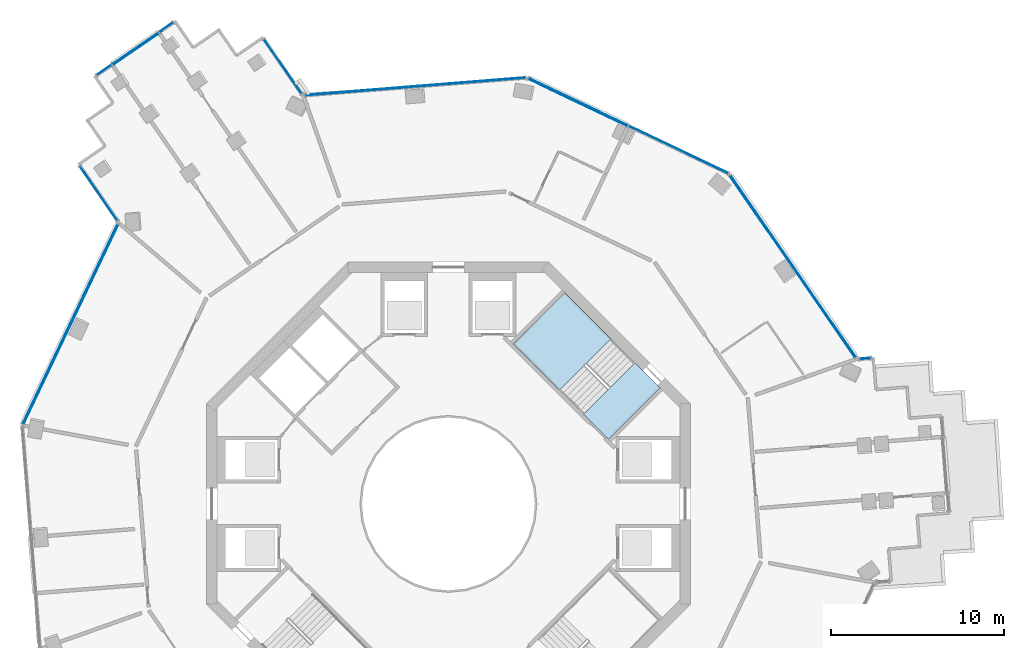
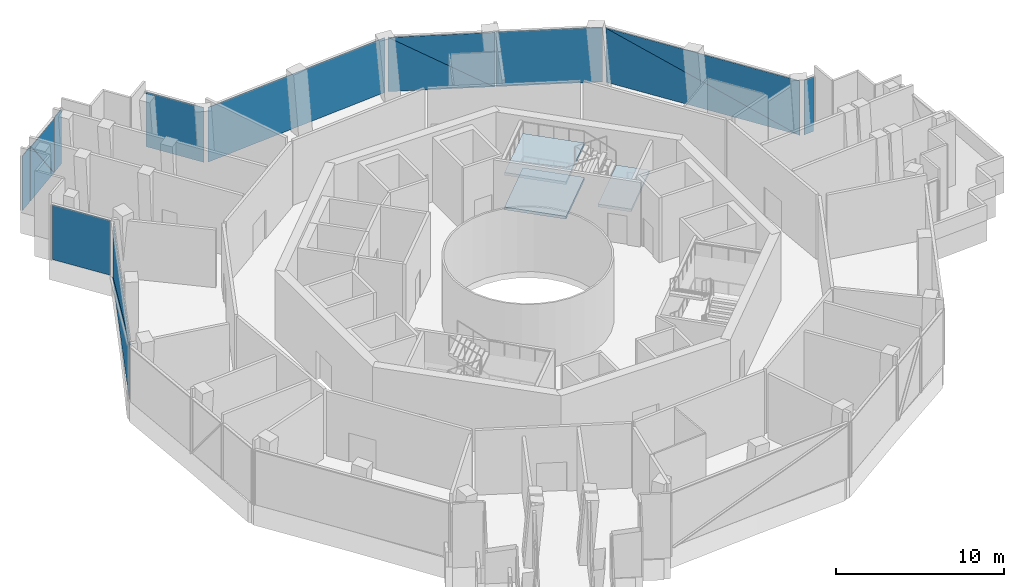
# One storey, part 10 of 21: 15 plates, 3 slabs, 9 elements without a shape of their own.
"""IFC4 building model written with IfcOpenShell, lengths in metres."""

from ifc_helpers import new_model, si_unit, direction, frame, origin, origin_2d, place, context, subcontext, project, spatial, polyline, rectangle, outline, extrude, material, layer, layer_set, type_object, element, aggregate, save


model = new_model("IFC4")

# Units and contexts
model_context = context("Model", 3, precision=1e-05, world=origin(), true_north=direction((0.0, 1.0)))
body_context = subcontext(model_context, "Body", "Model", "MODEL_VIEW")
ifc_project = project(units=[si_unit("LENGTHUNIT", "METRE"), si_unit("AREAUNIT", "SQUARE_METRE"), si_unit("VOLUMEUNIT", "CUBIC_METRE"), si_unit("PLANEANGLEUNIT", "RADIAN"), si_unit("MASSUNIT", "GRAM", prefix="KILO")], contexts=[model_context])

# Site, building, storey
site_placement = place(None, origin())
site = spatial("IfcSite", under=ifc_project, at=site_placement, CompositionType="ELEMENT")
building_placement = place(site_placement, origin())
building = spatial("IfcBuilding", under=site, at=building_placement, Name="Verdalira Terraces Hotel", CompositionType="ELEMENT")
storey_placement = place(building_placement, frame((0.0, 0.0, 175.0)))
storey = spatial("IfcBuildingStorey", under=building, at=storey_placement, Name="L42", CompositionType="ELEMENT", Elevation=175.0)

# Curtain wall, plate
ifc_material_1 = material(Name="Clear glass", Category="glass")
ifc_layer_1 = layer(ifc_material_1, 0.239990234375)
ifc_layer_set_1 = layer_set([ifc_layer_1], Name="CW5 curtain wall")
curtain_wall_type = type_object("IfcCurtainWallType", Name="CW5 curtain wall", PredefinedType="NOTDEFINED", material=ifc_layer_set_1)
curtain_wall_1_placement = place(storey_placement, origin())
curtain_wall_1 = element("IfcCurtainWall", 1, at=curtain_wall_1_placement, inside=storey, type_object=curtain_wall_type, Name="CW5 curtain wall L42 edge 0", PredefinedType="NOTDEFINED")
ifc_material_2 = material(Name="Clear glass", Category="glass")
ifc_layer_2 = layer(ifc_material_2, 0.0439453125)
ifc_layer_set_2 = layer_set([ifc_layer_2], Name="CW5 glass unit 44")
plate_type = type_object("IfcPlateType", Name="CW5 glass unit 44", PredefinedType="CURTAIN_PANEL", material=ifc_layer_set_2)
plate_1_placement = place(storey_placement, frame((-9.57959, 25.312744, 0.0), z_axis=(0.0, 0.0, 1.0), x_axis=(-0.567268949, 0.823532598, 0.0)))
plate_1 = element("IfcPlate", 2, at=plate_1_placement, type_object=plate_type, Name="CW5 glass unit", PredefinedType="CURTAIN_PANEL", context=body_context, shape_type="SweptSolid", body=[
    extrude(rectangle(XDim=3.799805, YDim=0.043945, at=origin_2d()), origin(), (0.0, 0.0, 1.0), 3.965088),
])
aggregate(curtain_wall_1, [plate_1])

# Curtain wall, plates
curtain_wall_2_placement = place(storey_placement, origin())
curtain_wall_2 = element("IfcCurtainWall", 3, at=curtain_wall_2_placement, inside=storey, type_object=curtain_wall_type, Name="CW5 curtain wall L42 edge 5", PredefinedType="NOTDEFINED")
plate_2_placement = place(storey_placement, frame((-16.325928, 27.574951, 0.0), z_axis=(0.0, 0.0, 1.0), x_axis=(-0.823532598, -0.567268949, 0.0)))
plate_2 = element("IfcPlate", 4, at=plate_2_placement, type_object=plate_type, Name="CW5 glass unit", PredefinedType="CURTAIN_PANEL", context=body_context, shape_type="SweptSolid", body=[
    extrude(rectangle(XDim=0.965088, YDim=0.043945, at=origin_2d()), origin(), (0.0, 0.0, 1.0), 3.965088),
])
plate_3_placement = place(storey_placement, frame((-18.093018, 26.331055, 1.982422), z_axis=(-0.567268949, 0.823532598, 0.0), x_axis=(-0.823532598, -0.567268949, 0.0)))
plate_3 = element("IfcPlate", 5, at=plate_3_placement, type_object=plate_type, Name="CW5 glass unit", PredefinedType="CURTAIN_PANEL", context=body_context, shape_type="SweptSolid", body=[
    extrude(outline(polyline([(-1.608398, -1.982422), (1.608398, -1.982422), (1.608398, 1.982422), (-1.608398, -1.982422)])), origin(), (0.0, 0.0, 1.0), 0.043945),
])
plate_4_placement = place(storey_placement, frame((-18.067627, 26.293945, 1.982422), z_axis=(-0.567268949, 0.823532598, 0.0), x_axis=(-0.823532598, -0.567268949, 0.0)))
plate_4 = element("IfcPlate", 6, at=plate_4_placement, type_object=plate_type, Name="CW5 glass unit", PredefinedType="CURTAIN_PANEL", context=body_context, shape_type="SweptSolid", body=[
    extrude(outline(polyline([(-1.608398, -1.982422), (1.608398, 1.982422), (-1.608398, 1.982422), (-1.608398, -1.982422)])), origin(), (0.0, 0.0, 1.0), 0.043945),
])
plate_5_placement = place(storey_placement, frame((-19.915283, 25.102539, 0.0), z_axis=(0.0, 0.0, 1.0), x_axis=(-0.823532598, -0.567268949, 0.0)))
plate_5 = element("IfcPlate", 7, at=plate_5_placement, type_object=plate_type, Name="CW5 glass unit", PredefinedType="CURTAIN_PANEL", context=body_context, shape_type="SweptSolid", body=[
    extrude(rectangle(XDim=1.038086, YDim=0.043945, at=origin_2d()), origin(), (0.0, 0.0, 1.0), 3.965088),
])
aggregate(curtain_wall_2, [plate_2, plate_3, plate_4, plate_5])

# Curtain wall, plate
curtain_wall_3_placement = place(storey_placement, origin())
curtain_wall_3 = element("IfcCurtainWall", 8, at=curtain_wall_3_placement, inside=storey, type_object=curtain_wall_type, Name="CW5 curtain wall L42 edge 10", PredefinedType="NOTDEFINED")
plate_6_placement = place(storey_placement, frame((-20.236084, 17.972412, 0.0), z_axis=(0.0, 0.0, 1.0), x_axis=(0.567268949, -0.823532598, 0.0)))
plate_6 = element("IfcPlate", 9, at=plate_6_placement, type_object=plate_type, Name="CW5 glass unit", PredefinedType="CURTAIN_PANEL", context=body_context, shape_type="SweptSolid", body=[
    extrude(rectangle(XDim=3.799805, YDim=0.043945, at=origin_2d()), origin(), (0.0, 0.0, 1.0), 3.965088),
])
aggregate(curtain_wall_3, [plate_6])

# Curtain wall, plates
curtain_wall_4_placement = place(storey_placement, origin())
curtain_wall_4 = element("IfcCurtainWall", 10, at=curtain_wall_4_placement, inside=storey, type_object=curtain_wall_type, Name="CW5 curtain wall L42 edge 11", PredefinedType="NOTDEFINED")
plate_7_placement = place(storey_placement, frame((-21.861816, 10.392822, 1.982422), z_axis=(-0.90303562, 0.429565676, 0.0), x_axis=(-0.429565676, -0.90303562, 0.0)))
plate_7 = element("IfcPlate", 11, at=plate_7_placement, type_object=plate_type, Name="CW5 glass unit", PredefinedType="CURTAIN_PANEL", context=body_context, shape_type="SweptSolid", body=[
    extrude(outline(polyline([(-6.383789, -1.982422), (6.383789, -1.982422), (6.383789, 1.982422), (-6.383789, -1.982422)])), origin(), (0.0, 0.0, 1.0), 0.043945),
])
plate_8_placement = place(storey_placement, frame((-21.821289, 10.373535, 1.982422), z_axis=(-0.90303562, 0.429565676, 0.0), x_axis=(-0.429565676, -0.90303562, 0.0)))
plate_8 = element("IfcPlate", 12, at=plate_8_placement, type_object=plate_type, Name="CW5 glass unit", PredefinedType="CURTAIN_PANEL", context=body_context, shape_type="SweptSolid", body=[
    extrude(outline(polyline([(-6.383789, -1.982422), (6.383789, 1.982422), (-6.383789, 1.982422), (-6.383789, -1.982422)])), origin(), (0.0, 0.0, 1.0), 0.043945),
])
aggregate(curtain_wall_4, [plate_7, plate_8])

# Curtain wall, plate
curtain_wall_5_placement = place(storey_placement, origin())
curtain_wall_5 = element("IfcCurtainWall", 13, at=curtain_wall_5_placement, inside=storey, type_object=curtain_wall_type, Name="CW5 curtain wall L42 edge 38", PredefinedType="NOTDEFINED")
plate_9_placement = place(storey_placement, frame((24.116699, 8.414062, 0.0), z_axis=(0.0, 0.0, 1.0), x_axis=(-0.996834625, -0.079503022, 0.0)))
plate_9 = element("IfcPlate", 14, at=plate_9_placement, type_object=plate_type, Name="CW5 glass unit", PredefinedType="CURTAIN_PANEL", context=body_context, shape_type="SweptSolid", body=[
    extrude(rectangle(XDim=0.657959, YDim=0.043945, at=origin_2d()), origin(), (0.0, 0.0, 1.0), 3.965088),
])
aggregate(curtain_wall_5, [plate_9])

# Curtain wall, plates
curtain_wall_6_placement = place(storey_placement, origin())
curtain_wall_6 = element("IfcCurtainWall", 15, at=curtain_wall_6_placement, inside=storey, type_object=curtain_wall_type, Name="CW5 curtain wall L42 edge 39", PredefinedType="NOTDEFINED")
plate_10_placement = place(storey_placement, frame((19.931396, 13.736328, 1.982422), z_axis=(0.823532598, 0.567268949, 0.0), x_axis=(-0.567268949, 0.823532598, 0.0)))
plate_10 = element("IfcPlate", 16, at=plate_10_placement, type_object=plate_type, Name="CW5 glass unit", PredefinedType="CURTAIN_PANEL", context=body_context, shape_type="SweptSolid", body=[
    extrude(outline(polyline([(-6.383789, -1.982422), (6.383789, -1.982422), (6.383789, 1.982422), (-6.383789, -1.982422)])), origin(), (0.0, 0.0, 1.0), 0.043945),
])
plate_11_placement = place(storey_placement, frame((19.894287, 13.710938, 1.982422), z_axis=(0.823532598, 0.567268949, 0.0), x_axis=(-0.567268949, 0.823532598, 0.0)))
plate_11 = element("IfcPlate", 17, at=plate_11_placement, type_object=plate_type, Name="CW5 glass unit", PredefinedType="CURTAIN_PANEL", context=body_context, shape_type="SweptSolid", body=[
    extrude(outline(polyline([(-6.383789, -1.982422), (6.383789, 1.982422), (-6.383789, 1.982422), (-6.383789, -1.982422)])), origin(), (0.0, 0.0, 1.0), 0.043945),
])
aggregate(curtain_wall_6, [plate_10, plate_11])

curtain_wall_7_placement = place(storey_placement, origin())
curtain_wall_7 = element("IfcCurtainWall", 18, at=curtain_wall_7_placement, inside=storey, type_object=curtain_wall_type, Name="CW5 curtain wall L42 edge 40", PredefinedType="NOTDEFINED")
plate_12_placement = place(storey_placement, frame((13.308594, 20.499023, 0.0), z_axis=(0.0, 0.0, 1.0), x_axis=(-0.90303562, 0.429565676, 0.0)))
plate_12 = element("IfcPlate", 19, at=plate_12_placement, type_object=plate_type, Name="CW5 glass unit", PredefinedType="CURTAIN_PANEL", context=body_context, shape_type="SweptSolid", body=[
    extrude(rectangle(XDim=6.354736, YDim=0.043945, at=origin_2d()), origin(), (0.0, 0.0, 1.0), 3.965088),
])
plate_13_placement = place(storey_placement, frame((7.497314, 23.239258, 1.982422), z_axis=(0.429565676, 0.90303562, 0.0), x_axis=(-0.90303562, 0.429565676, 0.0)))
plate_13 = element("IfcPlate", 20, at=plate_13_placement, type_object=plate_type, Name="CW5 glass unit", PredefinedType="CURTAIN_PANEL", context=body_context, shape_type="SweptSolid", body=[
    extrude(outline(polyline([(-3.177246, -1.982422), (3.177246, -1.982422), (3.177246, 1.982422), (-3.177246, -1.982422)])), origin(), (0.0, 0.0, 1.0), 0.043945),
])
plate_14_placement = place(storey_placement, frame((7.478027, 23.19873, 1.982422), z_axis=(0.429565676, 0.90303562, 0.0), x_axis=(-0.90303562, 0.429565676, 0.0)))
plate_14 = element("IfcPlate", 21, at=plate_14_placement, type_object=plate_type, Name="CW5 glass unit", PredefinedType="CURTAIN_PANEL", context=body_context, shape_type="SweptSolid", body=[
    extrude(outline(polyline([(-3.177246, -1.982422), (3.177246, 1.982422), (-3.177246, 1.982422), (-3.177246, -1.982422)])), origin(), (0.0, 0.0, 1.0), 0.043945),
])
aggregate(curtain_wall_7, [plate_12, plate_13, plate_14])

# Curtain wall, plate
curtain_wall_8_placement = place(storey_placement, origin())
curtain_wall_8 = element("IfcCurtainWall", 22, at=curtain_wall_8_placement, inside=storey, type_object=curtain_wall_type, Name="CW5 curtain wall L42 edge 41", PredefinedType="NOTDEFINED")
plate_15_placement = place(storey_placement, frame((-1.92041, 24.1521, 0.0), z_axis=(0.0, 0.0, 1.0), x_axis=(-0.996834625, -0.079503022, 0.0)))
plate_15 = element("IfcPlate", 23, at=plate_15_placement, type_object=plate_type, Name="CW5 glass unit", PredefinedType="CURTAIN_PANEL", context=body_context, shape_type="SweptSolid", body=[
    extrude(rectangle(XDim=12.767822, YDim=0.043945, at=origin_2d()), origin(), (0.0, 0.0, 1.0), 3.965088),
])
aggregate(curtain_wall_8, [plate_15])

# Stair, slabs
ifc_material_3 = material(Name="Concrete C40", Category="concrete")
stair_type = type_object("IfcStairType", Name="Core stair 32 risers 2050 mm wide", PredefinedType="HALF_TURN_STAIR", material=ifc_material_3)
stair_placement = place(storey_placement, origin())
stair = element("IfcStair", 24, at=stair_placement, inside=storey, type_object=stair_type, Name="L42 Exit stair ST1", PredefinedType="HALF_TURN_STAIR")
ifc_material_4 = material(Name="Concrete C40", Category="concrete")
ifc_layer_3 = layer(ifc_material_4, 0.199951171875)
ifc_layer_set_3 = layer_set([ifc_layer_3], Name="Core stair landing 200 mm")
slab_type = type_object("IfcSlabType", Name="Core stair landing 200 mm", PredefinedType="LANDING", material=ifc_layer_set_3)
slab_1_placement = place(storey_placement, frame((0.0, 0.0, 1.050049)))
slab_1 = element("IfcSlab", 25, at=slab_1_placement, type_object=slab_type, Name="ST1 landing 1", PredefinedType="LANDING", context=body_context, shape_type="SweptSolid", body=[
    extrude(outline(polyline([(9.397705, 9.552734), (6.717529, 12.23291), (3.747559, 9.263184), (6.427979, 6.582764), (9.397705, 9.552734)])), origin(), (0.0, 0.0, 1.0), 0.199951),
])
slab_2_placement = place(storey_placement, frame((0.0, 0.0, 2.300049)))
slab_2 = element("IfcSlab", 26, at=slab_2_placement, type_object=slab_type, Name="ST1 landing 2", PredefinedType="LANDING", context=body_context, shape_type="SweptSolid", body=[
    extrude(outline(polyline([(12.23291, 6.717529), (10.782959, 8.16748), (7.813232, 5.19751), (9.263184, 3.747559), (12.23291, 6.717529)])), origin(), (0.0, 0.0, 1.0), 0.199951),
])
slab_3_placement = place(storey_placement, frame((0.0, 0.0, 3.550049)))
slab_3 = element("IfcSlab", 27, at=slab_3_placement, type_object=slab_type, Name="ST1 landing 3", PredefinedType="LANDING", context=body_context, shape_type="SweptSolid", body=[
    extrude(outline(polyline([(9.397705, 9.552734), (6.717529, 12.23291), (3.747559, 9.263184), (6.427979, 6.582764), (9.397705, 9.552734)])), origin(), (0.0, 0.0, 1.0), 0.199951),
])
aggregate(stair, [slab_1, slab_2, slab_3])

save(model, "model.ifc")
